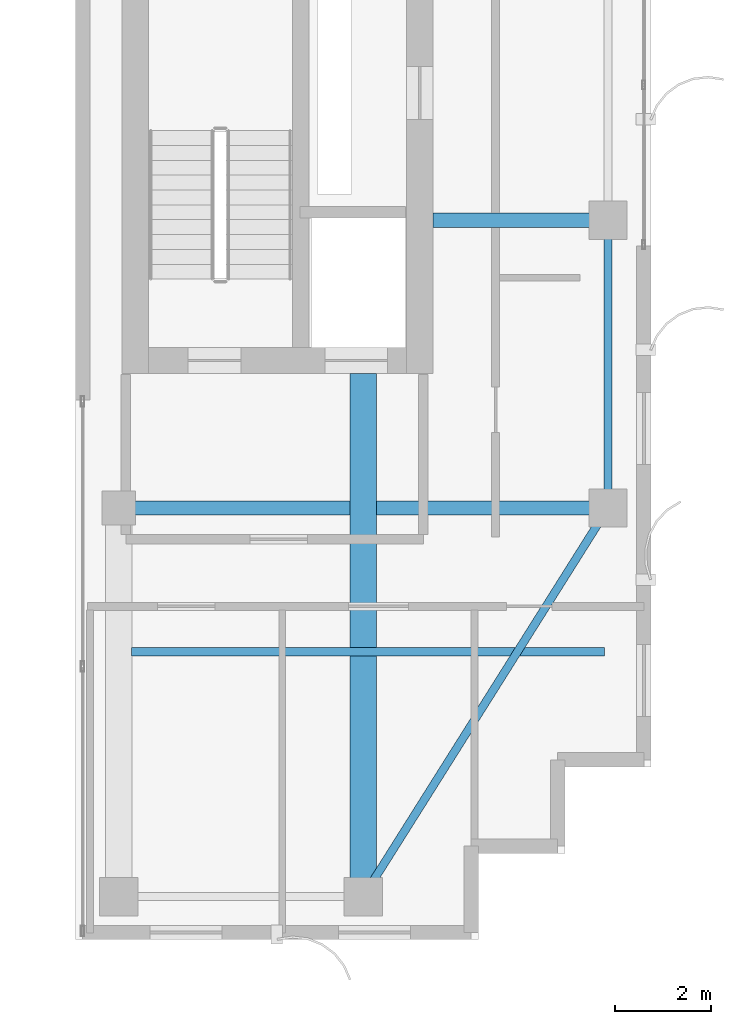
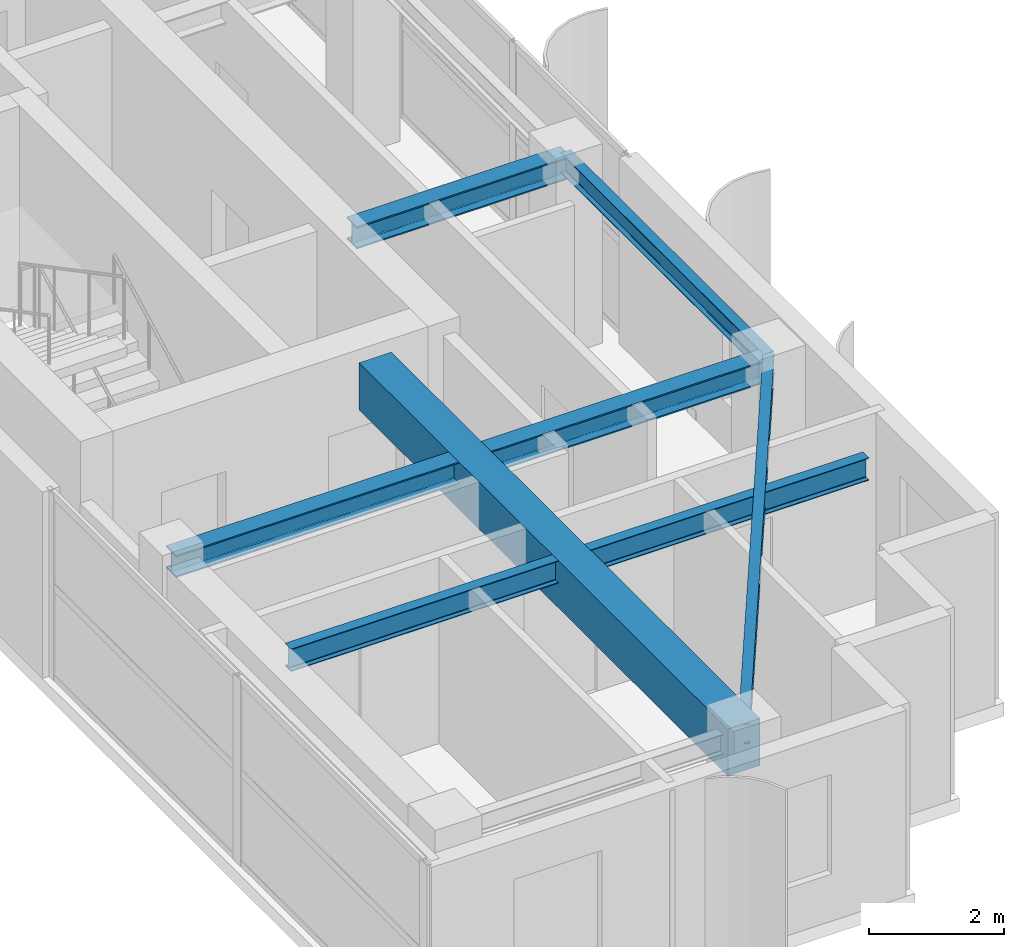
# One storey, part 11 of 24: 6 beams.
"""IFC4 building model written with IfcOpenShell, lengths in metres."""

from ifc_helpers import new_model, si_unit, direction, frame, origin, origin_2d, place, context, subcontext, project, spatial, rectangle, i_section, extrude, source, transform, mapped, material, material_profile, profile_set, type_object, element, save


model = new_model("IFC4")

# Units and contexts
model_context = context("Model", 3, precision=1e-05, world=origin(), true_north=direction((0.0, 1.0)))
body_context = subcontext(model_context, "Body", "Model", "MODEL_VIEW")
ifc_project = project(units=[si_unit("LENGTHUNIT", "METRE"), si_unit("AREAUNIT", "SQUARE_METRE"), si_unit("VOLUMEUNIT", "CUBIC_METRE"), si_unit("PLANEANGLEUNIT", "RADIAN"), si_unit("MASSUNIT", "GRAM", prefix="KILO")], contexts=[model_context])

# Site, building, storey
site_placement = place(None, origin())
site = spatial("IfcSite", under=ifc_project, at=site_placement, CompositionType="ELEMENT")
building_placement = place(site_placement, origin())
building = spatial("IfcBuilding", under=site, at=building_placement, Name="Khoralis Quay Care Tower", CompositionType="ELEMENT")
storey_placement = place(building_placement, frame((0.0, 0.0, 249.300048828125)))
storey = spatial("IfcBuildingStorey", under=building, at=storey_placement, Name="L65", CompositionType="ELEMENT", Elevation=249.300048828125)

# Beams
ifc_material_1 = material(Name="Steel S355", Category="steel")
ifc_material_profile_1 = material_profile(ifc_material_1, i_section(OverallWidth=0.169921875, OverallDepth=0.360107421875, WebThickness=0.008056640625, FlangeThickness=0.0126953125, FilletRadius=0.01806640625, at=origin_2d()), Name="Steel S355")
ifc_profile_set_1 = profile_set([ifc_material_profile_1], Name="Steel S355")
beam_type_1 = type_object("IfcBeamType", Name="BM-IPE360", PredefinedType="SPANDREL", material=ifc_profile_set_1)
shared_shape_1 = source(origin(), body_context, "Body", "SweptSolid", [
    extrude(i_section(OverallWidth=0.169921875, OverallDepth=0.360107421875, WebThickness=0.008056640625, FlangeThickness=0.0126953125, FilletRadius=0.01806640625, at=origin_2d()), origin(), (0.0, 0.0, 1.0), 6.0),
])
beam_1_placement = place(storey_placement, frame((41.10009765625, 12.0, 3.179931640625), z_axis=(0.0, 1.0, 0.0), x_axis=(-1.0, 0.0, 0.0)))
element("IfcBeam", 1, at=beam_1_placement, inside=storey, type_object=beam_type_1, Name="BM-TSP-L65-09", PredefinedType="SPANDREL", context=body_context, shape_type="MappedRepresentation", body=[
    mapped(shared_shape_1, transform((0.0, 0.0, 0.0), scale=1.0)),
])
shared_shape_2 = source(origin(), body_context, "Body", "SweptSolid", [
    extrude(i_section(OverallWidth=0.169921875, OverallDepth=0.360107421875, WebThickness=0.008056640625, FlangeThickness=0.0126953125, FilletRadius=0.01806640625, at=origin_2d()), origin(), (0.0, 0.0, 1.0), 9.572021484375),
])
beam_2_placement = place(storey_placement, frame((36.0, 3.89990234375, 3.179931640625), z_axis=(0.532815975602, 0.846231136359, 0.0), x_axis=(-0.846231136359, 0.532815975602, 0.0)))
element("IfcBeam", 2, at=beam_2_placement, inside=storey, type_object=beam_type_1, Name="BM-TCR-L65-14", PredefinedType="SPANDREL", context=body_context, shape_type="MappedRepresentation", body=[
    mapped(shared_shape_2, transform((0.0, 0.0, 0.0), scale=1.0)),
])
ifc_material_profile_2 = material_profile(ifc_material_1, i_section(OverallWidth=0.300048828125, OverallDepth=0.39990234375, WebThickness=0.013427734375, FlangeThickness=0.02392578125, FilletRadius=0.027099609375, at=origin_2d()), Name="Steel S355")
ifc_profile_set_2 = profile_set([ifc_material_profile_2], Name="Steel S355")
beam_type_2 = type_object("IfcBeamType", Name="BM-HEB400", PredefinedType="BEAM", material=ifc_profile_set_2)
shared_shape_3 = source(origin(), body_context, "Body", "SweptSolid", [
    extrude(i_section(OverallWidth=0.300048828125, OverallDepth=0.39990234375, WebThickness=0.013427734375, FlangeThickness=0.02392578125, FilletRadius=0.027099609375, at=origin_2d()), origin(), (0.0, 0.0, 1.0), 10.2001953125),
])
beam_3_placement = place(storey_placement, frame((30.89990234375, 12.0, 3.159912109375), z_axis=(1.0, 0.0, 0.0), x_axis=(0.0, 1.0, 0.0)))
element("IfcBeam", 3, at=beam_3_placement, inside=storey, type_object=beam_type_2, Name="BM-TGXE-L65-120", PredefinedType="BEAM", context=body_context, shape_type="MappedRepresentation", body=[
    mapped(shared_shape_3, transform((0.0, 0.0, 0.0), scale=1.0)),
])
shared_shape_4 = source(origin(), body_context, "Body", "SweptSolid", [
    extrude(i_section(OverallWidth=0.300048828125, OverallDepth=0.39990234375, WebThickness=0.013427734375, FlangeThickness=0.02392578125, FilletRadius=0.027099609375, at=origin_2d()), origin(), (0.0, 0.0, 1.0), 3.652099609375),
])
beam_4_placement = place(storey_placement, frame((37.447998046875, 18.0, 3.159912109375), z_axis=(1.0, 0.0, 0.0), x_axis=(0.0, 1.0, 0.0)))
element("IfcBeam", 4, at=beam_4_placement, inside=storey, type_object=beam_type_2, Name="BM-TGXE-L65-180", PredefinedType="BEAM", context=body_context, shape_type="MappedRepresentation", body=[
    mapped(shared_shape_4, transform((0.0, 0.0, 0.0), scale=1.0)),
])
ifc_material_2 = material(Name="Concrete C50/60", Category="concrete")
ifc_material_profile_3 = material_profile(ifc_material_2, rectangle(XDim=0.550048828125, YDim=0.85009765625, at=origin_2d()), Name="Concrete C50/60")
ifc_profile_set_3 = profile_set([ifc_material_profile_3], Name="Concrete C50/60")
beam_type_3 = type_object("IfcBeamType", Name="BM-RC550X850", PredefinedType="BEAM", material=ifc_profile_set_3)
shared_shape_5 = source(origin(), body_context, "Body", "SweptSolid", [
    extrude(rectangle(XDim=0.550048828125, YDim=0.85009765625, at=origin_2d()), origin(), (0.0, 0.0, 1.0), 10.902099609375),
])
beam_5_placement = place(storey_placement, frame((36.0, 3.89990234375, 2.93505859375), z_axis=(0.0, 1.0, 0.0), x_axis=(-1.0, 0.0, 0.0)))
element("IfcBeam", 5, at=beam_5_placement, inside=storey, type_object=beam_type_3, Name="BM-TGYS-L65-360", PredefinedType="BEAM", context=body_context, shape_type="MappedRepresentation", body=[
    mapped(shared_shape_5, transform((0.0, 0.0, 0.0), scale=1.0)),
])
ifc_material_profile_4 = material_profile(ifc_material_1, i_section(OverallWidth=0.177978515625, OverallDepth=0.406982421875, WebThickness=0.0078125, FlangeThickness=0.0126953125, FilletRadius=0.012939453125, at=origin_2d()), Name="Steel S355")
ifc_profile_set_4 = profile_set([ifc_material_profile_4], Name="Steel S355")
beam_type_4 = type_object("IfcBeamType", Name="BM-W410X60", PredefinedType="JOIST", material=ifc_profile_set_4)
shared_shape_6 = source(origin(), body_context, "Body", "SweptSolid", [
    extrude(i_section(OverallWidth=0.177978515625, OverallDepth=0.406982421875, WebThickness=0.0078125, FlangeThickness=0.0126953125, FilletRadius=0.012939453125, at=origin_2d()), origin(), (0.0, 0.0, 1.0), 9.865966796875),
])
beam_6_placement = place(storey_placement, frame((31.1630859375, 9.0, 3.156494140625), z_axis=(1.0, 0.0, 0.0), x_axis=(0.0, 1.0, 0.0)))
element("IfcBeam", 6, at=beam_6_placement, inside=storey, type_object=beam_type_4, Name="BM-TJS-L65-18", PredefinedType="JOIST", context=body_context, shape_type="MappedRepresentation", body=[
    mapped(shared_shape_6, transform((0.0, 0.0, 0.0), scale=1.0)),
])

save(model, "model.ifc")
